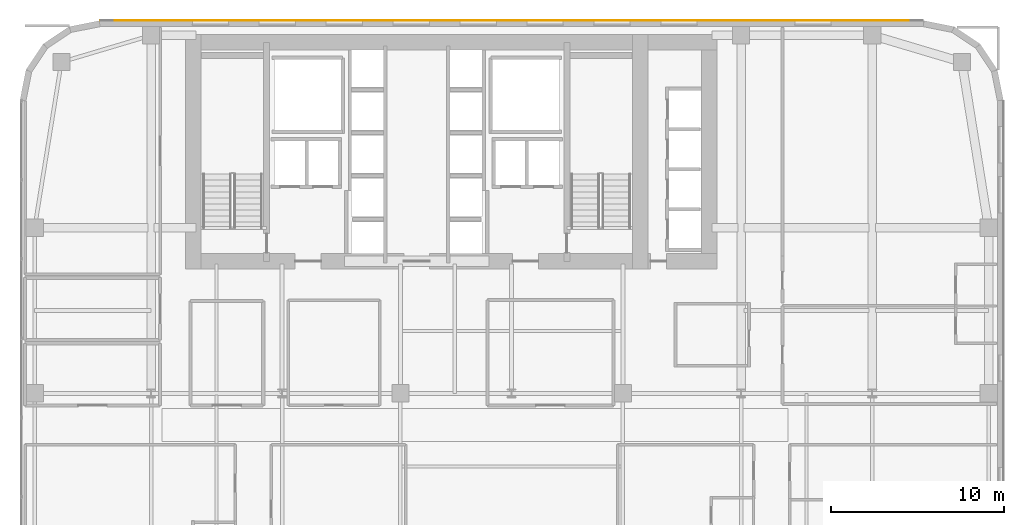
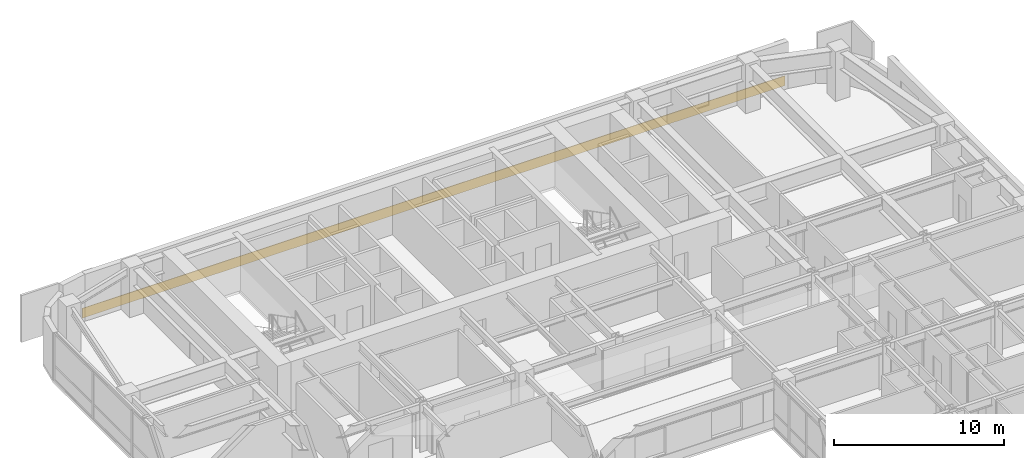
# One storey, part 36 of 37: 1 covering.
"""IFC4 building model written with IfcOpenShell, lengths in metres."""

from ifc_helpers import new_model, si_unit, direction, frame, origin, place, context, subcontext, project, spatial, polyline, outline, extrude, material, layer, layer_set, type_object, element, save


model = new_model("IFC4")

# Units and contexts
model_context = context("Model", 3, precision=1e-05, world=origin(), true_north=direction((0.0, 1.0)))
body_context = subcontext(model_context, "Body", "Model", "MODEL_VIEW")
ifc_project = project(units=[si_unit("LENGTHUNIT", "METRE"), si_unit("AREAUNIT", "SQUARE_METRE"), si_unit("VOLUMEUNIT", "CUBIC_METRE"), si_unit("PLANEANGLEUNIT", "RADIAN"), si_unit("MASSUNIT", "GRAM", prefix="KILO")], contexts=[model_context])

# Site, building, storey
site_placement = place(None, origin())
site = spatial("IfcSite", under=ifc_project, at=site_placement, CompositionType="ELEMENT")
building_placement = place(site_placement, origin())
building = spatial("IfcBuilding", under=site, at=building_placement, Name="Tolvann Quenvar Hotel", CompositionType="ELEMENT")
storey_placement = place(building_placement, frame((0.0, 0.0, 53.300048828125)))
storey = spatial("IfcBuildingStorey", under=building, at=storey_placement, Name="L12", CompositionType="ELEMENT", Elevation=53.300048828125)

# Covering
ifc_material = material(Name="Moulded buff architectural terracotta spandrel cladding", Category="masonry")
ifc_layer = layer(ifc_material, 0.0400390625)
ifc_layer_set = layer_set([ifc_layer], Name="Moulded buff architectural terracotta spandrel cladding")
covering_type = type_object("IfcCoveringType", Name="COV_CLAD_TERRA_40", PredefinedType="CLADDING", material=ifc_layer_set)
covering_placement = place(storey_placement, origin())
element("IfcCovering", 1, at=covering_placement, inside=storey, type_object=covering_type, Name="Terracotta Spandrel Cladding (L12-E18)", PredefinedType="CLADDING", context=body_context, shape_type="SweptSolid", body=[
    extrude(outline(polyline([(52.3427734375, 46.0), (4.6572265625, 46.0), (4.6572265625, 46.0400390625), (52.3427734375, 46.0400390625), (52.3427734375, 46.0)])), origin(), (0.0, 0.0, 1.0), 0.699951171875),
])

save(model, "model.ifc")
